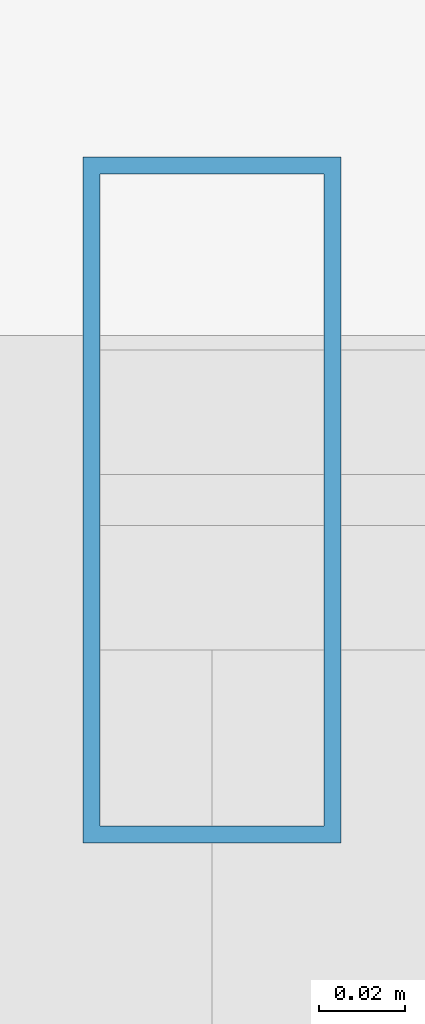
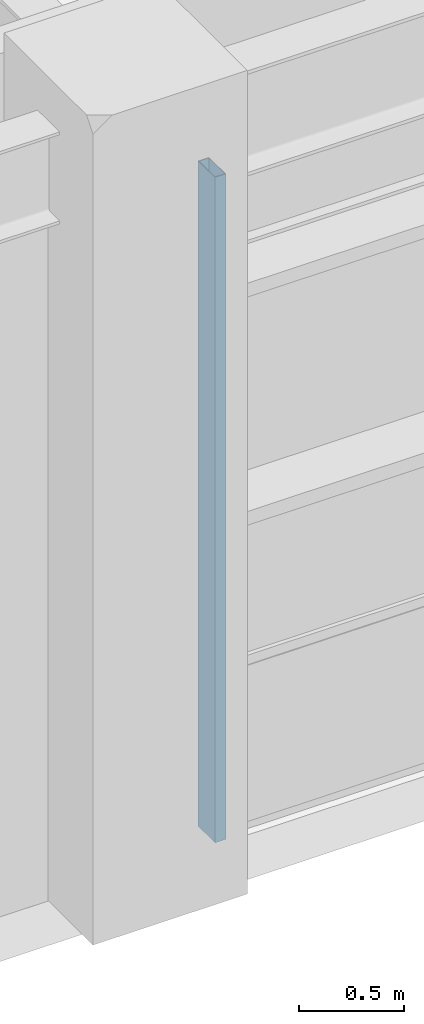
# One storey, part 108 of 200: 1 member, 1 element without a shape of its own.
"""IFC4 building model written with IfcOpenShell, lengths in metres."""

from ifc_helpers import new_model, si_unit, direction, frame, origin, origin_2d, place, context, subcontext, project, spatial, hollow_rectangle, extrude, material, material_profile, profile_set, type_object, element, aggregate, save


model = new_model("IFC4")

# Units and contexts
model_context = context("Model", 3, precision=1e-05, world=origin(), true_north=direction((0.0, 1.0)))
body_context = subcontext(model_context, "Body", "Model", "MODEL_VIEW")
ifc_project = project(units=[si_unit("LENGTHUNIT", "METRE"), si_unit("AREAUNIT", "SQUARE_METRE"), si_unit("VOLUMEUNIT", "CUBIC_METRE"), si_unit("PLANEANGLEUNIT", "RADIAN"), si_unit("MASSUNIT", "GRAM", prefix="KILO"), si_unit("THERMODYNAMICTEMPERATUREUNIT", "KELVIN"), si_unit("POWERUNIT", "WATT")], contexts=[model_context])

# Site, building, storey
site_placement = place(None, origin())
site = spatial("IfcSite", under=ifc_project, at=site_placement, CompositionType="ELEMENT")
building_placement = place(site_placement, origin())
building = spatial("IfcBuilding", under=site, at=building_placement, Name="Tepalcoro Natatorium and Aquatics Centre", CompositionType="ELEMENT")
storey_placement = place(building_placement, frame((0.0, 0.0, 5.39990234375)))
storey = spatial("IfcBuildingStorey", under=building, at=storey_placement, Name="L01", CompositionType="ELEMENT", Elevation=5.39990234375)

# Curtain wall, member
ifc_material = material(Name="Bronze-Anodised Extruded Aluminium Alloy EN AW-6063 T6", Category="aluminium")
curtain_wall_type = type_object("IfcCurtainWallType", Name="CW_V4_VILLAGE", PredefinedType="USERDEFINED", material=ifc_material)
curtain_wall_placement = place(storey_placement, origin())
curtain_wall = element("IfcCurtainWall", 1, at=curtain_wall_placement, inside=storey, type_object=curtain_wall_type, Name="V2 L01 S Unitised Curtain Wall Bay 3", ObjectType="UNITISED STOREFRONT", PredefinedType="USERDEFINED")
ifc_material_profile = material_profile(ifc_material, hollow_rectangle(XDim=0.06005859375, YDim=0.159912109375, WallThickness=0.00390625, at=origin_2d()), Name="AL60X160X4")
ifc_profile_set = profile_set([ifc_material_profile], Name="Bronze-Anodised Extruded Aluminium Alloy EN AW-6063 T6")
member_type = type_object("IfcMemberType", Name="CW_MUL_60x160", PredefinedType="MULLION", material=ifc_profile_set)
member_placement = place(storey_placement, frame((159.52001953125, 6.576171875, 0.02001953125), z_axis=(0.0, 0.0, 1.0), x_axis=(1.0, 0.0, 0.0)))
member = element("IfcMember", 2, at=member_placement, type_object=member_type, Name="CW_V4_VILLAGE Curtain Wall Mullion", PredefinedType="MULLION", context=body_context, shape_type="SweptSolid", body=[
    extrude(hollow_rectangle(XDim=0.06005859375, YDim=0.159912109375, WallThickness=0.00390625, at=origin_2d()), origin(), (0.0, 0.0, 1.0), 3.878173828125),
])
aggregate(curtain_wall, [member])

save(model, "model.ifc")
